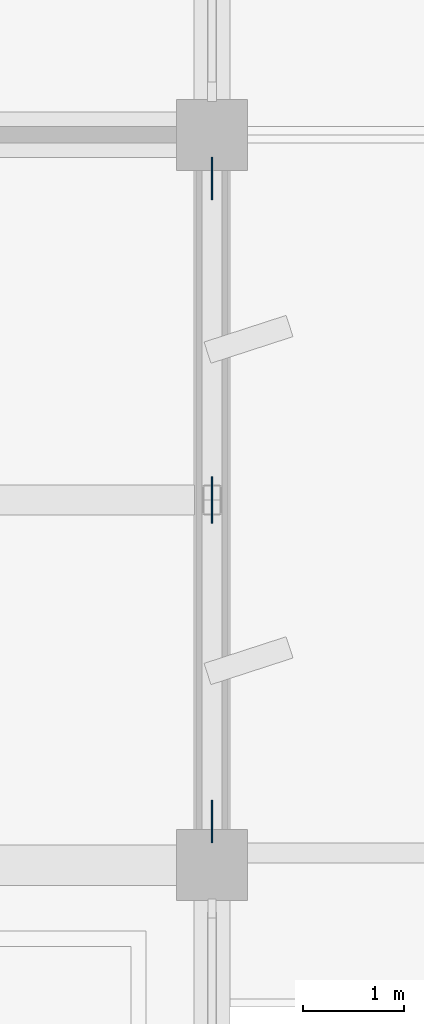
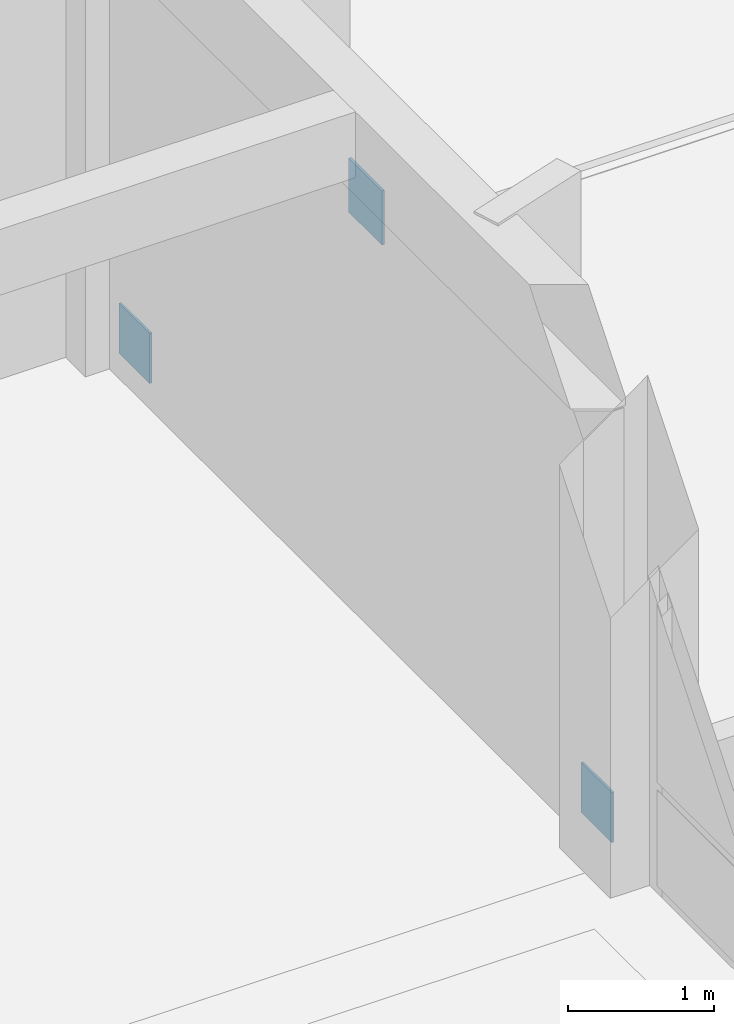
# One storey, part 57 of 81: 3 plates.
"""IFC4 building model written with IfcOpenShell, lengths in metres."""

import ifcopenshell
import ifcopenshell.guid

model = None  # the IFC model being written
_history = None  # IfcOwnerHistory: only IFC2X3 demands one
_inside = {}  # id of a spatial element -> (the spatial element, [elements in it])
_under = {}  # id of a project, library or spatial element -> (it, [spatial elements below it])
_declared = {}  # id of a project -> (the project, [libraries it declares])
_typed = {}  # id of a type object -> (the type object, [elements of that type])
_made_of = {}  # id of a material, layer set ... -> (it, [elements and type objects made of it])


def new_model(schema):
    """Start an empty IFC model of exactly this schema.

    Asked for "IFC4X3", IfcOpenShell would pick the latest addendum, in which some entities
    have other attributes; the version numbers below select the first issue.
    IFC2X3 requires an IfcOwnerHistory on every rooted entity: one is made here for all.
    """
    global model, _history
    if schema == "IFC4X3":
        model = ifcopenshell.file(schema_version=(4, 3, 0, 0))
    else:
        model = ifcopenshell.file(schema=schema)
    _inside.clear()
    _under.clear()
    _declared.clear()
    _typed.clear()
    _made_of.clear()
    _history = None
    if model.schema == "IFC2X3":
        org = make("IfcOrganization", Name="unknown")
        user = make(
            "IfcPersonAndOrganization",
            ThePerson=make("IfcPerson", FamilyName="unknown"),
            TheOrganization=org,
        )
        app = make(
            "IfcApplication",
            ApplicationDeveloper=org,
            Version="unknown",
            ApplicationFullName="unknown",
            ApplicationIdentifier="unknown",
        )
        _history = make(
            "IfcOwnerHistory",
            OwningUser=user,
            OwningApplication=app,
            ChangeAction="ADDED",
            CreationDate=0,
        )
    return model


def make(cls, **values):
    """One entity of the class cls with the attributes given. An attribute that is None is left unset."""
    return model.create_entity(
        cls, **{name: value for name, value in values.items() if value is not None}
    )


def rooted(cls, **values):
    """An entity with a GlobalId (a new one), such as an element, a storey or a relation."""
    return make(cls, GlobalId=ifcopenshell.guid.new(), OwnerHistory=_history, **values)


def si_unit(unit_type, name, prefix=None):
    """IfcSIUnit, for example si_unit("LENGTHUNIT", "METRE", prefix="MILLI")."""
    return make("IfcSIUnit", UnitType=unit_type, Prefix=prefix, Name=name)


def assignment(units):
    """IfcUnitAssignment: the units of a project."""
    return None if units is None else make("IfcUnitAssignment", Units=units)


def point(xyz):
    """IfcCartesianPoint."""
    return None if xyz is None else make("IfcCartesianPoint", Coordinates=xyz)


def direction(xyz):
    """IfcDirection."""
    return None if xyz is None else make("IfcDirection", DirectionRatios=xyz)


def frame(location, z_axis=None, x_axis=None):
    """IfcAxis2Placement3D, a coordinate frame: its origin and axes. An axis left out is left unset."""
    return make(
        "IfcAxis2Placement3D",
        Location=point(location),
        Axis=direction(z_axis),
        RefDirection=direction(x_axis),
    )


def frame_2d(location, x_axis=None):
    """IfcAxis2Placement2D, a coordinate frame in the plane: its origin and x axis."""
    return make(
        "IfcAxis2Placement2D", Location=point(location), RefDirection=direction(x_axis)
    )


def origin():
    """The frame at (0, 0, 0) with its axes left unset."""
    return frame((0.0, 0.0, 0.0))


def origin_2d():
    """The frame at (0, 0) in the plane with its x axis left unset."""
    return frame_2d((0.0, 0.0))


def place(relative_to, where):
    """IfcLocalPlacement: puts the frame where relative to a parent placement (None: the world)."""
    return make(
        "IfcLocalPlacement", PlacementRelTo=relative_to, RelativePlacement=where
    )


def context(
    kind, dimensions, precision=None, world=None, true_north=None, identifier=None
):
    """IfcGeometricRepresentationContext, for example the 3D "Model" context."""
    return make(
        "IfcGeometricRepresentationContext",
        ContextIdentifier=identifier,
        ContextType=kind,
        CoordinateSpaceDimension=dimensions,
        Precision=precision,
        WorldCoordinateSystem=world,
        TrueNorth=true_north,
    )


def subcontext(parent, identifier, kind, view, scale=None):
    """IfcGeometricRepresentationSubContext, for example "Body" below "Model"."""
    return make(
        "IfcGeometricRepresentationSubContext",
        ContextIdentifier=identifier,
        ContextType=kind,
        ParentContext=parent,
        TargetScale=scale,
        TargetView=view,
    )


def project(units=None, contexts=None):
    """IfcProject with its units and contexts."""
    return rooted(
        "IfcProject",
        Name="project",
        RepresentationContexts=contexts,
        UnitsInContext=assignment(units),
    )


def spatial(cls, under=None, at=None, **own):
    """A site, building, storey or space (cls), placed at a placement, below another one or the project."""
    s = rooted(cls, ObjectPlacement=at, **own)
    if under is not None:
        _under.setdefault(under.id(), (under, []))[1].append(s)
    return s


def profile(cls, at=None, kind="AREA", **sizes):
    """A parametric profile (cls). Its sizes go by their IFC names, for example OverallWidth=200.0."""
    return make(cls, ProfileType=kind, Position=at, **sizes)


def rectangle(**sizes):
    """IfcRectangleProfileDef."""
    return profile("IfcRectangleProfileDef", **sizes)


def extrude(swept, where, along, depth):
    """IfcExtrudedAreaSolid: the profile swept, set in the frame where, extruded along a direction by depth."""
    return make(
        "IfcExtrudedAreaSolid",
        SweptArea=swept,
        Position=where,
        ExtrudedDirection=direction(along),
        Depth=depth,
    )


def shape(context_of_items, identifier, shape_type, items):
    """IfcShapeRepresentation: the items that make up one representation, for example the "Body"."""
    return make(
        "IfcShapeRepresentation",
        ContextOfItems=context_of_items,
        RepresentationIdentifier=identifier,
        RepresentationType=shape_type,
        Items=items,
    )


def material(Name=None, Category=None):
    """IfcMaterial."""
    return make("IfcMaterial", Name=Name, Category=Category)


def layer(
    of_material, thickness, ventilated=None, Name=None, Category=None, Priority=None
):
    """IfcMaterialLayer: one layer of a wall or slab, of a material (None: an air gap)."""
    return make(
        "IfcMaterialLayer",
        Material=of_material,
        LayerThickness=thickness,
        IsVentilated=ventilated,
        Name=Name,
        Category=Category,
        Priority=Priority,
    )


def layer_set(layers, Name=None):
    """IfcMaterialLayerSet."""
    return make("IfcMaterialLayerSet", MaterialLayers=layers, LayerSetName=Name)


def made_of(thing, what):
    """Note that an element or type object is made of a material, layer set ...; save() writes the relation."""
    if what is not None:
        _made_of.setdefault(what.id(), (what, []))[1].append(thing)
    return thing


def type_object(cls, material=None, **own):
    """A type object (cls), such as IfcWallType, which elements share."""
    return made_of(rooted(cls, **own), material)


def element(
    cls,
    number,
    at=None,
    inside=None,
    cuts=None,
    type_object=None,
    material=None,
    context=None,
    identifier="Body",
    shape_type=None,
    held_by="IfcProductDefinitionShape",
    body=None,
    shapes=None,
    **own,
):
    """One element of the class cls, such as IfcWall. Its Tag is "e" and its number.

    at: its placement. inside: the storey or other place that contains it. cuts: it is an
    opening in that element (IfcRelVoidsElement). A single representation is given by context,
    identifier, shape_type and body (its items); several are given by shapes. held_by: the class
    of the entity that holds the representations. save() writes the other relations.
    """
    e = rooted(cls, Tag="e%d" % number, ObjectPlacement=at, **own)
    if body is not None:
        shapes = [shape(context, identifier, shape_type, body)]
    if shapes is not None:
        e.Representation = make(held_by, Representations=shapes)
    if inside is not None:
        _inside.setdefault(inside.id(), (inside, []))[1].append(e)
    if cuts is not None:
        rooted(
            "IfcRelVoidsElement", RelatingBuildingElement=cuts, RelatedOpeningElement=e
        )
    if type_object is not None:
        _typed.setdefault(type_object.id(), (type_object, []))[1].append(e)
    return made_of(e, material)


def aggregate(whole, parts):
    """IfcRelAggregates: a whole, such as a stair, and the parts it consists of."""
    return rooted("IfcRelAggregates", RelatingObject=whole, RelatedObjects=parts)


def save(model, path):
    """Write the relations noted so far, then the file.

    IfcRelAggregates (storeys below a building ...), IfcRelContainedInSpatialStructure (elements
    in a storey), IfcRelDefinesByType, IfcRelAssociatesMaterial and IfcRelDeclares: one each for
    every whole, place, type object, material and project.
    """
    for whole, parts in _under.values():
        aggregate(whole, parts)
    for where, things in _inside.values():
        rooted(
            "IfcRelContainedInSpatialStructure",
            RelatedElements=things,
            RelatingStructure=where,
        )
    for kind, things in _typed.values():
        rooted("IfcRelDefinesByType", RelatedObjects=things, RelatingType=kind)
    for what, things in _made_of.values():
        rooted("IfcRelAssociatesMaterial", RelatedObjects=things, RelatingMaterial=what)
    for by, libraries in _declared.values():
        rooted("IfcRelDeclares", RelatingContext=by, RelatedDefinitions=libraries)
    model.write(path)


model = new_model("IFC4")

# Units and contexts
model_context = context("Model", 3, precision=1e-05, world=origin(), true_north=direction((0.0, 1.0)))
body_context = subcontext(model_context, "Body", "Model", "MODEL_VIEW")
ifc_project = project(units=[si_unit("LENGTHUNIT", "METRE"), si_unit("AREAUNIT", "SQUARE_METRE"), si_unit("VOLUMEUNIT", "CUBIC_METRE"), si_unit("PLANEANGLEUNIT", "RADIAN"), si_unit("MASSUNIT", "GRAM", prefix="KILO")], contexts=[model_context])

# Site, building, storey
site_placement = place(None, origin())
site = spatial("IfcSite", under=ifc_project, at=site_placement, CompositionType="ELEMENT")
building_placement = place(site_placement, origin())
building = spatial("IfcBuilding", under=site, at=building_placement, Name="Kavelor Marine Aquarium", CompositionType="ELEMENT")
storey_placement = place(building_placement, frame((0.0, 0.0, 4.679931640625)))
storey = spatial("IfcBuildingStorey", under=building, at=storey_placement, Name="L01", CompositionType="ELEMENT", Elevation=4.679931640625)

# Plates
ifc_material_1 = material(Name="Steel S355", Category="steel")
ifc_layer_1 = layer(ifc_material_1, 0.01953125)
ifc_layer_set_1 = layer_set([ifc_layer_1], Name="PL-GP11")
plate_type_1 = type_object("IfcPlateType", Name="PL-GP11", PredefinedType="SHEET", material=ifc_layer_set_1)
plate_placement = place(storey_placement, frame((154.39990234375, 71.199951171875, 3.092529296875), z_axis=(0.0, 0.0, 1.0), x_axis=(1.0, 0.0, 0.0)))
element("IfcPlate", 1, at=plate_placement, inside=storey, type_object=plate_type_1, Name="sbr:gp:m:4", PredefinedType="SHEET", context=body_context, shape_type="SweptSolid", body=[
    extrude(rectangle(XDim=0.01953125, YDim=0.455078125, at=origin_2d()), origin(), (0.0, 0.0, 1.0), 0.455078125),
])
ifc_material_2 = material(Name="Steel S355", Category="steel")
ifc_layer_2 = layer(ifc_material_2, 0.01806640625)
ifc_layer_set_2 = layer_set([ifc_layer_2], Name="PL-GP12")
plate_type_2 = type_object("IfcPlateType", Name="PL-GP12", PredefinedType="SHEET", material=ifc_layer_set_2)
for number, where, z_axis, x_axis, name in (
    (2, (154.39990234375, 68.030029296875, 0.0), (0.0, 0.0, 1.0), (1.0, 0.0, 0.0), "sbr:gp:a:4"),
    (3, (154.39990234375, 74.3701171875, 0.0), (0.0, 0.0, 1.0), (1.0, 0.0, 0.0), "sbr:gp:b:4"),
):
    element("IfcPlate", number, at=place(storey_placement, frame(where, z_axis=z_axis, x_axis=x_axis)), inside=storey, type_object=plate_type_2, Name=name, PredefinedType="SHEET", context=body_context, shape_type="SweptSolid", body=[
        extrude(rectangle(XDim=0.01806640625, YDim=0.419921875, at=origin_2d()), origin(), (0.0, 0.0, 1.0), 0.419921875),
    ])

save(model, "model.ifc")
